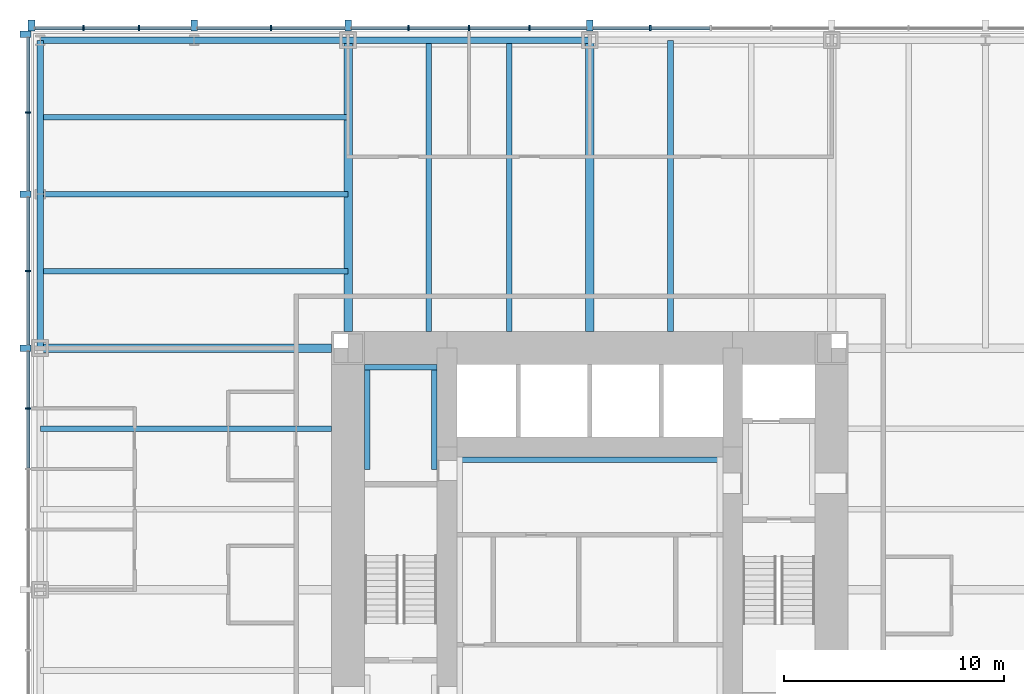
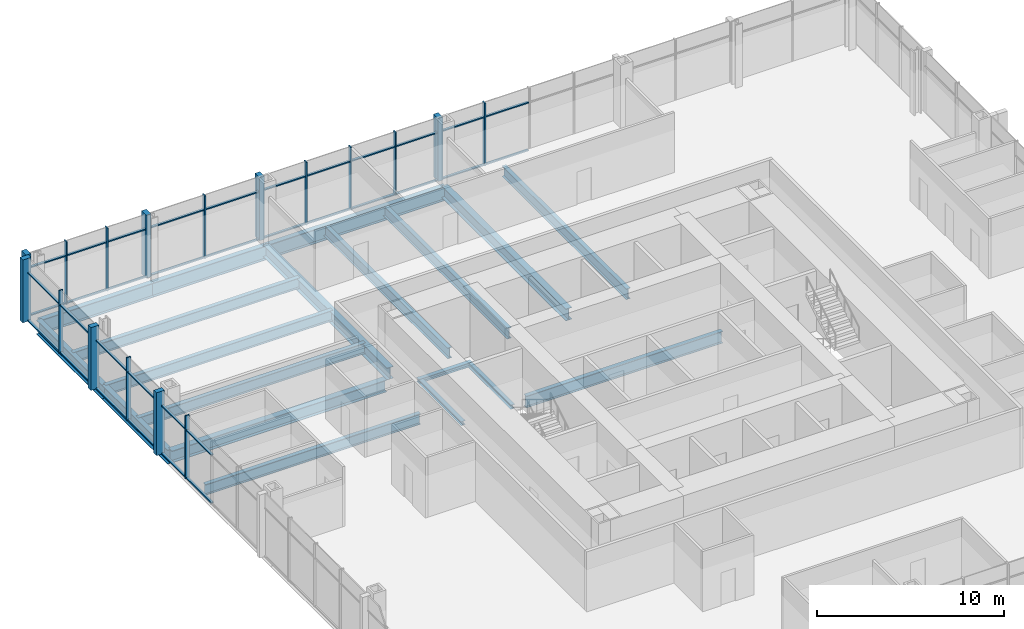
# One storey, part 5 of 12: 51 members, 19 beams, 2 elements without a shape of their own.
"""IFC4 building model written with IfcOpenShell, lengths in metres."""

from ifc_helpers import new_model, si_unit, direction, frame, origin, origin_2d, place, context, subcontext, project, spatial, rectangle, i_section, extrude, material, material_profile, profile_set, type_object, element, aggregate, save


model = new_model("IFC4")

# Units and contexts
model_context = context("Model", 3, precision=1e-05, world=origin(), true_north=direction((0.0, 1.0)))
body_context = subcontext(model_context, "Body", "Model", "MODEL_VIEW")
ifc_project = project(units=[si_unit("LENGTHUNIT", "METRE"), si_unit("AREAUNIT", "SQUARE_METRE"), si_unit("VOLUMEUNIT", "CUBIC_METRE"), si_unit("PLANEANGLEUNIT", "RADIAN"), si_unit("MASSUNIT", "GRAM", prefix="KILO")], contexts=[model_context])

# Site, building, storey
site_placement = place(None, origin())
site = spatial("IfcSite", under=ifc_project, at=site_placement, CompositionType="ELEMENT")
building_placement = place(site_placement, origin())
building = spatial("IfcBuilding", under=site, at=building_placement, Name="Trevanion Tower", CompositionType="ELEMENT")
storey_placement = place(building_placement, frame((0.0, 0.0, 57.0)))
storey = spatial("IfcBuildingStorey", under=building, at=storey_placement, Name="L13", CompositionType="ELEMENT", Elevation=57.0)

# Beams
ifc_material_1 = material(Name="Steel ASTM A992 Grade 50", Category="steel")
ifc_material_profile_1 = material_profile(ifc_material_1, i_section(OverallWidth=0.25390625, OverallDepth=0.700927734375, WebThickness=0.015380859375, FlangeThickness=0.02783203125, at=origin_2d()), Name="W27X129")
ifc_profile_set_1 = profile_set([ifc_material_profile_1], Name="Steel ASTM A992 Grade 50")
beam_type_1 = type_object("IfcBeamType", Name="B3 W27X129", PredefinedType="BEAM", material=ifc_profile_set_1)
for number, where, z_axis, x_axis, name in (
    (1, (3.666748046875, 11.75, -0.54052734375), (0.0, 1.0, 0.0), (-1.0, 0.0, 0.0), "B3 L13"),
    (2, (-3.666748046875, 11.75, -0.54052734375), (0.0, 1.0, 0.0), (-1.0, 0.0, 0.0), "B3 L13"),
    (3, (-7.333251953125, 11.75, -0.54052734375), (0.0, 1.0, 0.0), (-1.0, 0.0, 0.0), "B3 L13"),
    (4, (-11.75, 7.333251953125, -0.54052734375), (-1.0, 0.0, 0.0), (0.0, -1.0, 0.0), "B3 L13"),
):
    element("IfcBeam", number, at=place(storey_placement, frame(where, z_axis=z_axis, x_axis=x_axis)), inside=storey, type_object=beam_type_1, Name=name, PredefinedType="BEAM", context=body_context, shape_type="SweptSolid", body=[
        extrude(i_section(OverallWidth=0.25390625, OverallDepth=0.700927734375, WebThickness=0.015380859375, FlangeThickness=0.02783203125, at=origin_2d()), origin(), (0.0, 0.0, 1.0), 13.25),
    ])
ifc_material_2 = material(Name="Steel ASTM A992 Grade 50", Category="steel")
ifc_material_profile_2 = material_profile(ifc_material_2, i_section(OverallWidth=0.256591796875, OverallDepth=0.693359375, WebThickness=0.014404296875, FlangeThickness=0.023681640625, at=origin_2d()), Name="W27X114")
ifc_profile_set_2 = profile_set([ifc_material_profile_2], Name="Steel ASTM A992 Grade 50")
beam_type_2 = type_object("IfcBeamType", Name="B4 W27X114", PredefinedType="BEAM", material=ifc_profile_set_2)
for number, where, z_axis, x_axis, name in (
    (5, (-11.0, 14.5, -0.53662109375), (-1.0, 0.0, 0.0), (0.0, -1.0, 0.0), "B4 L13"),
    (6, (-11.0, 18.0, -0.53662109375), (-1.0, 0.0, 0.0), (0.0, -1.0, 0.0), "B4 L13"),
    (7, (-11.0, 21.5, -0.53662109375), (-1.0, 0.0, 0.0), (0.0, -1.0, 0.0), "B4 L13"),
):
    element("IfcBeam", number, at=place(storey_placement, frame(where, z_axis=z_axis, x_axis=x_axis)), inside=storey, type_object=beam_type_2, Name=name, PredefinedType="BEAM", context=body_context, shape_type="SweptSolid", body=[
        extrude(i_section(OverallWidth=0.256591796875, OverallDepth=0.693359375, WebThickness=0.014404296875, FlangeThickness=0.023681640625, at=origin_2d()), origin(), (0.0, 0.0, 1.0), 14.0),
    ])

# Curtain wall, members
ifc_material_3 = material(Name="Aluminium and glass", Category="aluminium")
curtain_wall_type = type_object("IfcCurtainWallType", Name="CW1 curtain wall", PredefinedType="USERDEFINED", material=ifc_material_3)
curtain_wall_1_placement = place(storey_placement, origin())
curtain_wall_1 = element("IfcCurtainWall", 8, at=curtain_wall_1_placement, inside=storey, type_object=curtain_wall_type, Name="CW1 L13 1", ObjectType="UNITISED CURTAIN WALL", PredefinedType="USERDEFINED")
ifc_material_4 = material(Name="Aluminium extrusion, anodised bronze", Category="aluminium")
ifc_material_profile_3 = material_profile(ifc_material_4, rectangle(XDim=0.074951171875, YDim=0.25, at=origin_2d()), Name="CW1 mullion")
ifc_profile_set_3 = profile_set([ifc_material_profile_3], Name="Aluminium extrusion, anodised bronze")
member_type_1 = type_object("IfcMemberType", Name="CW1 mullion", PredefinedType="MULLION", material=ifc_profile_set_3)
member_1_placement = place(storey_placement, frame((2.75, 25.550048828125, -0.18994140625), z_axis=(0.0, 0.0, 1.0), x_axis=(-1.0, 0.0, 0.0)))
member_1 = element("IfcMember", 9, at=member_1_placement, type_object=member_type_1, Name="CW1 mullion 8", PredefinedType="MULLION", context=body_context, shape_type="SweptSolid", body=[
    extrude(rectangle(XDim=0.074951171875, YDim=0.25, at=origin_2d()), origin(), (0.0, 0.0, 1.0), 4.099853515625),
])
member_2_placement = place(storey_placement, frame((-2.75, 25.550048828125, -0.18994140625), z_axis=(0.0, 0.0, 1.0), x_axis=(-1.0, 0.0, 0.0)))
member_2 = element("IfcMember", 10, at=member_2_placement, type_object=member_type_1, Name="CW1 mullion 10", PredefinedType="MULLION", context=body_context, shape_type="SweptSolid", body=[
    extrude(rectangle(XDim=0.074951171875, YDim=0.25, at=origin_2d()), origin(), (0.0, 0.0, 1.0), 4.099853515625),
])
member_3_placement = place(storey_placement, frame((-5.5, 25.550048828125, -0.18994140625), z_axis=(0.0, 0.0, 1.0), x_axis=(-1.0, 0.0, 0.0)))
member_3 = element("IfcMember", 11, at=member_3_placement, type_object=member_type_1, Name="CW1 mullion 11", PredefinedType="MULLION", context=body_context, shape_type="SweptSolid", body=[
    extrude(rectangle(XDim=0.074951171875, YDim=0.25, at=origin_2d()), origin(), (0.0, 0.0, 1.0), 4.099853515625),
])
member_4_placement = place(storey_placement, frame((-8.25, 25.550048828125, -0.18994140625), z_axis=(0.0, 0.0, 1.0), x_axis=(-1.0, 0.0, 0.0)))
member_4 = element("IfcMember", 12, at=member_4_placement, type_object=member_type_1, Name="CW1 mullion 12", PredefinedType="MULLION", context=body_context, shape_type="SweptSolid", body=[
    extrude(rectangle(XDim=0.074951171875, YDim=0.25, at=origin_2d()), origin(), (0.0, 0.0, 1.0), 4.099853515625),
])
member_5_placement = place(storey_placement, frame((-14.5, 25.550048828125, -0.18994140625), z_axis=(0.0, 0.0, 1.0), x_axis=(-1.0, 0.0, 0.0)))
member_5 = element("IfcMember", 13, at=member_5_placement, type_object=member_type_1, Name="CW1 mullion 14", PredefinedType="MULLION", context=body_context, shape_type="SweptSolid", body=[
    extrude(rectangle(XDim=0.074951171875, YDim=0.25, at=origin_2d()), origin(), (0.0, 0.0, 1.0), 4.099853515625),
])
member_6_placement = place(storey_placement, frame((-20.5166015625, 25.550048828125, -0.18994140625), z_axis=(0.0, 0.0, 1.0), x_axis=(-1.0, 0.0, 0.0)))
member_6 = element("IfcMember", 14, at=member_6_placement, type_object=member_type_1, Name="CW1 mullion 16", PredefinedType="MULLION", context=body_context, shape_type="SweptSolid", body=[
    extrude(rectangle(XDim=0.074951171875, YDim=0.25, at=origin_2d()), origin(), (0.0, 0.0, 1.0), 4.099853515625),
])
member_7_placement = place(storey_placement, frame((-23.033203125, 25.550048828125, -0.18994140625), z_axis=(0.0, 0.0, 1.0), x_axis=(-1.0, 0.0, 0.0)))
member_7 = element("IfcMember", 15, at=member_7_placement, type_object=member_type_1, Name="CW1 mullion 17", PredefinedType="MULLION", context=body_context, shape_type="SweptSolid", body=[
    extrude(rectangle(XDim=0.074951171875, YDim=0.25, at=origin_2d()), origin(), (0.0, 0.0, 1.0), 4.099853515625),
])

curtain_wall_2_placement = place(storey_placement, origin())
curtain_wall_2 = element("IfcCurtainWall", 16, at=curtain_wall_2_placement, inside=storey, type_object=curtain_wall_type, Name="CW1 L13 2", ObjectType="UNITISED CURTAIN WALL", PredefinedType="USERDEFINED")
member_8_placement = place(storey_placement, frame((-25.550048828125, 21.7099609375, -0.18994140625), z_axis=(0.0, 0.0, 1.0), x_axis=(0.0, -1.0, 0.0)))
member_8 = element("IfcMember", 17, at=member_8_placement, type_object=member_type_1, Name="CW1 mullion 2", PredefinedType="MULLION", context=body_context, shape_type="SweptSolid", body=[
    extrude(rectangle(XDim=0.074951171875, YDim=0.25, at=origin_2d()), origin(), (0.0, 0.0, 1.0), 4.099853515625),
])
member_9_placement = place(storey_placement, frame((-25.550048828125, 14.5, -0.18994140625), z_axis=(0.0, 0.0, 1.0), x_axis=(0.0, -1.0, 0.0)))
member_9 = element("IfcMember", 18, at=member_9_placement, type_object=member_type_1, Name="CW1 mullion 4", PredefinedType="MULLION", context=body_context, shape_type="SweptSolid", body=[
    extrude(rectangle(XDim=0.074951171875, YDim=0.25, at=origin_2d()), origin(), (0.0, 0.0, 1.0), 4.099853515625),
])
member_10_placement = place(storey_placement, frame((-25.550048828125, 8.25, -0.18994140625), z_axis=(0.0, 0.0, 1.0), x_axis=(0.0, -1.0, 0.0)))
member_10 = element("IfcMember", 19, at=member_10_placement, type_object=member_type_1, Name="CW1 mullion 6", PredefinedType="MULLION", context=body_context, shape_type="SweptSolid", body=[
    extrude(rectangle(XDim=0.074951171875, YDim=0.25, at=origin_2d()), origin(), (0.0, 0.0, 1.0), 4.099853515625),
])

# Member
ifc_material_5 = material(Name="Aluminium extrusion, anodised bronze", Category="aluminium")
ifc_material_profile_4 = material_profile(ifc_material_5, rectangle(XDim=0.300048828125, YDim=0.5, at=origin_2d()), Name="CW1 pier mullion")
ifc_profile_set_4 = profile_set([ifc_material_profile_4], Name="Aluminium extrusion, anodised bronze")
member_type_2 = type_object("IfcMemberType", Name="CW1 pier mullion", PredefinedType="MULLION", material=ifc_profile_set_4)
member_11_placement = place(storey_placement, frame((0.0, 25.675048828125, -0.18994140625), z_axis=(0.0, 0.0, 1.0), x_axis=(-1.0, 0.0, 0.0)))
member_11 = element("IfcMember", 20, at=member_11_placement, type_object=member_type_2, Name="CW1 pier mullion 9", PredefinedType="MULLION", context=body_context, shape_type="SweptSolid", body=[
    extrude(rectangle(XDim=0.300048828125, YDim=0.5, at=origin_2d()), origin(), (0.0, 0.0, 1.0), 4.099853515625),
])

member_12_placement = place(storey_placement, frame((-11.0, 25.675048828125, -0.18994140625), z_axis=(0.0, 0.0, 1.0), x_axis=(-1.0, 0.0, 0.0)))
member_12 = element("IfcMember", 21, at=member_12_placement, type_object=member_type_2, Name="CW1 pier mullion 13", PredefinedType="MULLION", context=body_context, shape_type="SweptSolid", body=[
    extrude(rectangle(XDim=0.300048828125, YDim=0.5, at=origin_2d()), origin(), (0.0, 0.0, 1.0), 4.099853515625),
])

member_13_placement = place(storey_placement, frame((-18.0, 25.675048828125, -0.18994140625), z_axis=(0.0, 0.0, 1.0), x_axis=(-1.0, 0.0, 0.0)))
member_13 = element("IfcMember", 22, at=member_13_placement, type_object=member_type_2, Name="CW1 pier mullion 15", PredefinedType="MULLION", context=body_context, shape_type="SweptSolid", body=[
    extrude(rectangle(XDim=0.300048828125, YDim=0.5, at=origin_2d()), origin(), (0.0, 0.0, 1.0), 4.099853515625),
])

member_14_placement = place(storey_placement, frame((-25.39990234375, 25.675048828125, -0.18994140625), z_axis=(0.0, 0.0, 1.0), x_axis=(-1.0, 0.0, 0.0)))
member_14 = element("IfcMember", 23, at=member_14_placement, type_object=member_type_2, Name="CW1 pier mullion 18", PredefinedType="MULLION", context=body_context, shape_type="SweptSolid", body=[
    extrude(rectangle(XDim=0.300048828125, YDim=0.5, at=origin_2d()), origin(), (0.0, 0.0, 1.0), 4.099853515625),
])

member_15_placement = place(storey_placement, frame((-25.675048828125, 25.27001953125, -0.18994140625), z_axis=(0.0, 0.0, 1.0), x_axis=(0.0, -1.0, 0.0)))
member_15 = element("IfcMember", 24, at=member_15_placement, type_object=member_type_2, Name="CW1 pier mullion 1", PredefinedType="MULLION", context=body_context, shape_type="SweptSolid", body=[
    extrude(rectangle(XDim=0.300048828125, YDim=0.5, at=origin_2d()), origin(), (0.0, 0.0, 1.0), 4.099853515625),
])

member_16_placement = place(storey_placement, frame((-25.675048828125, 18.0, -0.18994140625), z_axis=(0.0, 0.0, 1.0), x_axis=(0.0, -1.0, 0.0)))
member_16 = element("IfcMember", 25, at=member_16_placement, type_object=member_type_2, Name="CW1 pier mullion 3", PredefinedType="MULLION", context=body_context, shape_type="SweptSolid", body=[
    extrude(rectangle(XDim=0.300048828125, YDim=0.5, at=origin_2d()), origin(), (0.0, 0.0, 1.0), 4.099853515625),
])

member_17_placement = place(storey_placement, frame((-25.675048828125, 11.0, -0.18994140625), z_axis=(0.0, 0.0, 1.0), x_axis=(0.0, -1.0, 0.0)))
member_17 = element("IfcMember", 26, at=member_17_placement, type_object=member_type_2, Name="CW1 pier mullion 5", PredefinedType="MULLION", context=body_context, shape_type="SweptSolid", body=[
    extrude(rectangle(XDim=0.300048828125, YDim=0.5, at=origin_2d()), origin(), (0.0, 0.0, 1.0), 4.099853515625),
])

ifc_material_6 = material(Name="Aluminium extrusion, anodised bronze", Category="aluminium")
ifc_material_profile_5 = material_profile(ifc_material_6, rectangle(XDim=0.14990234375, YDim=0.074951171875, at=origin_2d()), Name="CW1 transom")
ifc_profile_set_5 = profile_set([ifc_material_profile_5], Name="Aluminium extrusion, anodised bronze")
member_type_3 = type_object("IfcMemberType", Name="CW1 transom", PredefinedType="USERDEFINED", material=ifc_profile_set_5)
member_18_placement = place(storey_placement, frame((5.46240234375, 25.550048828125, -0.152587890625), z_axis=(-1.0, 0.0, 0.0), x_axis=(0.0, -1.0, 0.0)))
member_18 = element("IfcMember", 27, at=member_18_placement, type_object=member_type_3, Name="CW1 transom 7.1", ObjectType="TRANSOM", PredefinedType="USERDEFINED", context=body_context, shape_type="SweptSolid", body=[
    extrude(rectangle(XDim=0.14990234375, YDim=0.074951171875, at=origin_2d()), origin(), (0.0, 0.0, 1.0), 2.6748046875),
])

member_19_placement = place(storey_placement, frame((5.46240234375, 25.550048828125, 2.9599609375), z_axis=(-1.0, 0.0, 0.0), x_axis=(0.0, -1.0, 0.0)))
member_19 = element("IfcMember", 28, at=member_19_placement, type_object=member_type_3, Name="CW1 transom 7.2", ObjectType="TRANSOM", PredefinedType="USERDEFINED", context=body_context, shape_type="SweptSolid", body=[
    extrude(rectangle(XDim=0.14990234375, YDim=0.074951171875, at=origin_2d()), origin(), (0.0, 0.0, 1.0), 2.6748046875),
])

member_20_placement = place(storey_placement, frame((2.71240234375, 25.550048828125, -0.152587890625), z_axis=(-1.0, 0.0, 0.0), x_axis=(0.0, -1.0, 0.0)))
member_20 = element("IfcMember", 29, at=member_20_placement, type_object=member_type_3, Name="CW1 transom 8.1", ObjectType="TRANSOM", PredefinedType="USERDEFINED", context=body_context, shape_type="SweptSolid", body=[
    extrude(rectangle(XDim=0.14990234375, YDim=0.074951171875, at=origin_2d()), origin(), (0.0, 0.0, 1.0), 2.5625),
])

member_21_placement = place(storey_placement, frame((2.71240234375, 25.550048828125, 2.9599609375), z_axis=(-1.0, 0.0, 0.0), x_axis=(0.0, -1.0, 0.0)))
member_21 = element("IfcMember", 30, at=member_21_placement, type_object=member_type_3, Name="CW1 transom 8.2", ObjectType="TRANSOM", PredefinedType="USERDEFINED", context=body_context, shape_type="SweptSolid", body=[
    extrude(rectangle(XDim=0.14990234375, YDim=0.074951171875, at=origin_2d()), origin(), (0.0, 0.0, 1.0), 2.5625),
])

member_22_placement = place(storey_placement, frame((-0.14990234375, 25.550048828125, -0.152587890625), z_axis=(-1.0, 0.0, 0.0), x_axis=(0.0, -1.0, 0.0)))
member_22 = element("IfcMember", 31, at=member_22_placement, type_object=member_type_3, Name="CW1 transom 9.1", ObjectType="TRANSOM", PredefinedType="USERDEFINED", context=body_context, shape_type="SweptSolid", body=[
    extrude(rectangle(XDim=0.14990234375, YDim=0.074951171875, at=origin_2d()), origin(), (0.0, 0.0, 1.0), 2.5625),
])

member_23_placement = place(storey_placement, frame((-0.14990234375, 25.550048828125, 2.9599609375), z_axis=(-1.0, 0.0, 0.0), x_axis=(0.0, -1.0, 0.0)))
member_23 = element("IfcMember", 32, at=member_23_placement, type_object=member_type_3, Name="CW1 transom 9.2", ObjectType="TRANSOM", PredefinedType="USERDEFINED", context=body_context, shape_type="SweptSolid", body=[
    extrude(rectangle(XDim=0.14990234375, YDim=0.074951171875, at=origin_2d()), origin(), (0.0, 0.0, 1.0), 2.5625),
])

member_24_placement = place(storey_placement, frame((-2.78759765625, 25.550048828125, -0.152587890625), z_axis=(-1.0, 0.0, 0.0), x_axis=(0.0, -1.0, 0.0)))
member_24 = element("IfcMember", 33, at=member_24_placement, type_object=member_type_3, Name="CW1 transom 10.1", ObjectType="TRANSOM", PredefinedType="USERDEFINED", context=body_context, shape_type="SweptSolid", body=[
    extrude(rectangle(XDim=0.14990234375, YDim=0.074951171875, at=origin_2d()), origin(), (0.0, 0.0, 1.0), 2.6748046875),
])

member_25_placement = place(storey_placement, frame((-2.78759765625, 25.550048828125, 2.9599609375), z_axis=(-1.0, 0.0, 0.0), x_axis=(0.0, -1.0, 0.0)))
member_25 = element("IfcMember", 34, at=member_25_placement, type_object=member_type_3, Name="CW1 transom 10.2", ObjectType="TRANSOM", PredefinedType="USERDEFINED", context=body_context, shape_type="SweptSolid", body=[
    extrude(rectangle(XDim=0.14990234375, YDim=0.074951171875, at=origin_2d()), origin(), (0.0, 0.0, 1.0), 2.6748046875),
])

member_26_placement = place(storey_placement, frame((-5.53759765625, 25.550048828125, -0.152587890625), z_axis=(-1.0, 0.0, 0.0), x_axis=(0.0, -1.0, 0.0)))
member_26 = element("IfcMember", 35, at=member_26_placement, type_object=member_type_3, Name="CW1 transom 11.1", ObjectType="TRANSOM", PredefinedType="USERDEFINED", context=body_context, shape_type="SweptSolid", body=[
    extrude(rectangle(XDim=0.14990234375, YDim=0.074951171875, at=origin_2d()), origin(), (0.0, 0.0, 1.0), 2.6748046875),
])

member_27_placement = place(storey_placement, frame((-5.53759765625, 25.550048828125, 2.9599609375), z_axis=(-1.0, 0.0, 0.0), x_axis=(0.0, -1.0, 0.0)))
member_27 = element("IfcMember", 36, at=member_27_placement, type_object=member_type_3, Name="CW1 transom 11.2", ObjectType="TRANSOM", PredefinedType="USERDEFINED", context=body_context, shape_type="SweptSolid", body=[
    extrude(rectangle(XDim=0.14990234375, YDim=0.074951171875, at=origin_2d()), origin(), (0.0, 0.0, 1.0), 2.6748046875),
])

member_28_placement = place(storey_placement, frame((-8.28759765625, 25.550048828125, -0.152587890625), z_axis=(-1.0, 0.0, 0.0), x_axis=(0.0, -1.0, 0.0)))
member_28 = element("IfcMember", 37, at=member_28_placement, type_object=member_type_3, Name="CW1 transom 12.1", ObjectType="TRANSOM", PredefinedType="USERDEFINED", context=body_context, shape_type="SweptSolid", body=[
    extrude(rectangle(XDim=0.14990234375, YDim=0.074951171875, at=origin_2d()), origin(), (0.0, 0.0, 1.0), 2.5625),
])

member_29_placement = place(storey_placement, frame((-8.28759765625, 25.550048828125, 2.9599609375), z_axis=(-1.0, 0.0, 0.0), x_axis=(0.0, -1.0, 0.0)))
member_29 = element("IfcMember", 38, at=member_29_placement, type_object=member_type_3, Name="CW1 transom 12.2", ObjectType="TRANSOM", PredefinedType="USERDEFINED", context=body_context, shape_type="SweptSolid", body=[
    extrude(rectangle(XDim=0.14990234375, YDim=0.074951171875, at=origin_2d()), origin(), (0.0, 0.0, 1.0), 2.5625),
])

member_30_placement = place(storey_placement, frame((-11.14990234375, 25.550048828125, -0.152587890625), z_axis=(-1.0, 0.0, 0.0), x_axis=(0.0, -1.0, 0.0)))
member_30 = element("IfcMember", 39, at=member_30_placement, type_object=member_type_3, Name="CW1 transom 13.1", ObjectType="TRANSOM", PredefinedType="USERDEFINED", context=body_context, shape_type="SweptSolid", body=[
    extrude(rectangle(XDim=0.14990234375, YDim=0.074951171875, at=origin_2d()), origin(), (0.0, 0.0, 1.0), 3.3125),
])

member_31_placement = place(storey_placement, frame((-11.14990234375, 25.550048828125, 2.9599609375), z_axis=(-1.0, 0.0, 0.0), x_axis=(0.0, -1.0, 0.0)))
member_31 = element("IfcMember", 40, at=member_31_placement, type_object=member_type_3, Name="CW1 transom 13.2", ObjectType="TRANSOM", PredefinedType="USERDEFINED", context=body_context, shape_type="SweptSolid", body=[
    extrude(rectangle(XDim=0.14990234375, YDim=0.074951171875, at=origin_2d()), origin(), (0.0, 0.0, 1.0), 3.3125),
])

member_32_placement = place(storey_placement, frame((-14.53759765625, 25.550048828125, -0.152587890625), z_axis=(-1.0, 0.0, 0.0), x_axis=(0.0, -1.0, 0.0)))
member_32 = element("IfcMember", 41, at=member_32_placement, type_object=member_type_3, Name="CW1 transom 14.1", ObjectType="TRANSOM", PredefinedType="USERDEFINED", context=body_context, shape_type="SweptSolid", body=[
    extrude(rectangle(XDim=0.14990234375, YDim=0.074951171875, at=origin_2d()), origin(), (0.0, 0.0, 1.0), 3.3125),
])

member_33_placement = place(storey_placement, frame((-14.53759765625, 25.550048828125, 2.9599609375), z_axis=(-1.0, 0.0, 0.0), x_axis=(0.0, -1.0, 0.0)))
member_33 = element("IfcMember", 42, at=member_33_placement, type_object=member_type_3, Name="CW1 transom 14.2", ObjectType="TRANSOM", PredefinedType="USERDEFINED", context=body_context, shape_type="SweptSolid", body=[
    extrude(rectangle(XDim=0.14990234375, YDim=0.074951171875, at=origin_2d()), origin(), (0.0, 0.0, 1.0), 3.3125),
])

member_34_placement = place(storey_placement, frame((-18.14990234375, 25.550048828125, -0.152587890625), z_axis=(-1.0, 0.0, 0.0), x_axis=(0.0, -1.0, 0.0)))
member_34 = element("IfcMember", 43, at=member_34_placement, type_object=member_type_3, Name="CW1 transom 15.1", ObjectType="TRANSOM", PredefinedType="USERDEFINED", context=body_context, shape_type="SweptSolid", body=[
    extrude(rectangle(XDim=0.14990234375, YDim=0.074951171875, at=origin_2d()), origin(), (0.0, 0.0, 1.0), 2.329345703125),
])

member_35_placement = place(storey_placement, frame((-18.14990234375, 25.550048828125, 2.9599609375), z_axis=(-1.0, 0.0, 0.0), x_axis=(0.0, -1.0, 0.0)))
member_35 = element("IfcMember", 44, at=member_35_placement, type_object=member_type_3, Name="CW1 transom 15.2", ObjectType="TRANSOM", PredefinedType="USERDEFINED", context=body_context, shape_type="SweptSolid", body=[
    extrude(rectangle(XDim=0.14990234375, YDim=0.074951171875, at=origin_2d()), origin(), (0.0, 0.0, 1.0), 2.329345703125),
])

member_36_placement = place(storey_placement, frame((-20.55419921875, 25.550048828125, -0.152587890625), z_axis=(-1.0, 0.0, 0.0), x_axis=(0.0, -1.0, 0.0)))
member_36 = element("IfcMember", 45, at=member_36_placement, type_object=member_type_3, Name="CW1 transom 16.1", ObjectType="TRANSOM", PredefinedType="USERDEFINED", context=body_context, shape_type="SweptSolid", body=[
    extrude(rectangle(XDim=0.14990234375, YDim=0.074951171875, at=origin_2d()), origin(), (0.0, 0.0, 1.0), 2.441650390625),
])

member_37_placement = place(storey_placement, frame((-20.55419921875, 25.550048828125, 2.9599609375), z_axis=(-1.0, 0.0, 0.0), x_axis=(0.0, -1.0, 0.0)))
member_37 = element("IfcMember", 46, at=member_37_placement, type_object=member_type_3, Name="CW1 transom 16.2", ObjectType="TRANSOM", PredefinedType="USERDEFINED", context=body_context, shape_type="SweptSolid", body=[
    extrude(rectangle(XDim=0.14990234375, YDim=0.074951171875, at=origin_2d()), origin(), (0.0, 0.0, 1.0), 2.441650390625),
])

member_38_placement = place(storey_placement, frame((-23.07080078125, 25.550048828125, -0.152587890625), z_axis=(-1.0, 0.0, 0.0), x_axis=(0.0, -1.0, 0.0)))
member_38 = element("IfcMember", 47, at=member_38_placement, type_object=member_type_3, Name="CW1 transom 17.1", ObjectType="TRANSOM", PredefinedType="USERDEFINED", context=body_context, shape_type="SweptSolid", body=[
    extrude(rectangle(XDim=0.14990234375, YDim=0.074951171875, at=origin_2d()), origin(), (0.0, 0.0, 1.0), 2.17919921875),
])

member_39_placement = place(storey_placement, frame((-23.07080078125, 25.550048828125, 2.9599609375), z_axis=(-1.0, 0.0, 0.0), x_axis=(0.0, -1.0, 0.0)))
member_39 = element("IfcMember", 48, at=member_39_placement, type_object=member_type_3, Name="CW1 transom 17.2", ObjectType="TRANSOM", PredefinedType="USERDEFINED", context=body_context, shape_type="SweptSolid", body=[
    extrude(rectangle(XDim=0.14990234375, YDim=0.074951171875, at=origin_2d()), origin(), (0.0, 0.0, 1.0), 2.17919921875),
])

aggregate(curtain_wall_1, [member_1, member_11, member_2, member_3, member_4, member_12, member_5, member_13, member_6, member_7, member_14, member_18, member_19, member_20, member_21, member_22, member_23, member_24, member_25, member_26, member_27, member_28, member_29, member_30, member_31, member_32, member_33, member_34, member_35, member_36, member_37, member_38, member_39])

member_40_placement = place(storey_placement, frame((-25.550048828125, 25.1201171875, -0.152587890625), z_axis=(0.0, -1.0, 0.0), x_axis=(1.0, 0.0, 0.0)))
member_40 = element("IfcMember", 49, at=member_40_placement, type_object=member_type_3, Name="CW1 transom 1.1", ObjectType="TRANSOM", PredefinedType="USERDEFINED", context=body_context, shape_type="SweptSolid", body=[
    extrude(rectangle(XDim=0.14990234375, YDim=0.074951171875, at=origin_2d()), origin(), (0.0, 0.0, 1.0), 3.37255859375),
])

member_41_placement = place(storey_placement, frame((-25.550048828125, 25.1201171875, 2.9599609375), z_axis=(0.0, -1.0, 0.0), x_axis=(1.0, 0.0, 0.0)))
member_41 = element("IfcMember", 50, at=member_41_placement, type_object=member_type_3, Name="CW1 transom 1.2", ObjectType="TRANSOM", PredefinedType="USERDEFINED", context=body_context, shape_type="SweptSolid", body=[
    extrude(rectangle(XDim=0.14990234375, YDim=0.074951171875, at=origin_2d()), origin(), (0.0, 0.0, 1.0), 3.37255859375),
])

member_42_placement = place(storey_placement, frame((-25.550048828125, 21.672607421875, -0.152587890625), z_axis=(0.0, -1.0, 0.0), x_axis=(1.0, 0.0, 0.0)))
member_42 = element("IfcMember", 51, at=member_42_placement, type_object=member_type_3, Name="CW1 transom 2.1", ObjectType="TRANSOM", PredefinedType="USERDEFINED", context=body_context, shape_type="SweptSolid", body=[
    extrude(rectangle(XDim=0.14990234375, YDim=0.074951171875, at=origin_2d()), origin(), (0.0, 0.0, 1.0), 3.522705078125),
])

member_43_placement = place(storey_placement, frame((-25.550048828125, 21.672607421875, 2.9599609375), z_axis=(0.0, -1.0, 0.0), x_axis=(1.0, 0.0, 0.0)))
member_43 = element("IfcMember", 52, at=member_43_placement, type_object=member_type_3, Name="CW1 transom 2.2", ObjectType="TRANSOM", PredefinedType="USERDEFINED", context=body_context, shape_type="SweptSolid", body=[
    extrude(rectangle(XDim=0.14990234375, YDim=0.074951171875, at=origin_2d()), origin(), (0.0, 0.0, 1.0), 3.522705078125),
])

member_44_placement = place(storey_placement, frame((-25.550048828125, 17.85009765625, -0.152587890625), z_axis=(0.0, -1.0, 0.0), x_axis=(1.0, 0.0, 0.0)))
member_44 = element("IfcMember", 53, at=member_44_placement, type_object=member_type_3, Name="CW1 transom 3.1", ObjectType="TRANSOM", PredefinedType="USERDEFINED", context=body_context, shape_type="SweptSolid", body=[
    extrude(rectangle(XDim=0.14990234375, YDim=0.074951171875, at=origin_2d()), origin(), (0.0, 0.0, 1.0), 3.3125),
])

member_45_placement = place(storey_placement, frame((-25.550048828125, 17.85009765625, 2.9599609375), z_axis=(0.0, -1.0, 0.0), x_axis=(1.0, 0.0, 0.0)))
member_45 = element("IfcMember", 54, at=member_45_placement, type_object=member_type_3, Name="CW1 transom 3.2", ObjectType="TRANSOM", PredefinedType="USERDEFINED", context=body_context, shape_type="SweptSolid", body=[
    extrude(rectangle(XDim=0.14990234375, YDim=0.074951171875, at=origin_2d()), origin(), (0.0, 0.0, 1.0), 3.3125),
])

member_46_placement = place(storey_placement, frame((-25.550048828125, 14.46240234375, -0.152587890625), z_axis=(0.0, -1.0, 0.0), x_axis=(1.0, 0.0, 0.0)))
member_46 = element("IfcMember", 55, at=member_46_placement, type_object=member_type_3, Name="CW1 transom 4.1", ObjectType="TRANSOM", PredefinedType="USERDEFINED", context=body_context, shape_type="SweptSolid", body=[
    extrude(rectangle(XDim=0.14990234375, YDim=0.074951171875, at=origin_2d()), origin(), (0.0, 0.0, 1.0), 3.3125),
])

member_47_placement = place(storey_placement, frame((-25.550048828125, 14.46240234375, 2.9599609375), z_axis=(0.0, -1.0, 0.0), x_axis=(1.0, 0.0, 0.0)))
member_47 = element("IfcMember", 56, at=member_47_placement, type_object=member_type_3, Name="CW1 transom 4.2", ObjectType="TRANSOM", PredefinedType="USERDEFINED", context=body_context, shape_type="SweptSolid", body=[
    extrude(rectangle(XDim=0.14990234375, YDim=0.074951171875, at=origin_2d()), origin(), (0.0, 0.0, 1.0), 3.3125),
])

member_48_placement = place(storey_placement, frame((-25.550048828125, 10.85009765625, -0.152587890625), z_axis=(0.0, -1.0, 0.0), x_axis=(1.0, 0.0, 0.0)))
member_48 = element("IfcMember", 57, at=member_48_placement, type_object=member_type_3, Name="CW1 transom 5.1", ObjectType="TRANSOM", PredefinedType="USERDEFINED", context=body_context, shape_type="SweptSolid", body=[
    extrude(rectangle(XDim=0.14990234375, YDim=0.074951171875, at=origin_2d()), origin(), (0.0, 0.0, 1.0), 2.5625),
])

member_49_placement = place(storey_placement, frame((-25.550048828125, 10.85009765625, 2.9599609375), z_axis=(0.0, -1.0, 0.0), x_axis=(1.0, 0.0, 0.0)))
member_49 = element("IfcMember", 58, at=member_49_placement, type_object=member_type_3, Name="CW1 transom 5.2", ObjectType="TRANSOM", PredefinedType="USERDEFINED", context=body_context, shape_type="SweptSolid", body=[
    extrude(rectangle(XDim=0.14990234375, YDim=0.074951171875, at=origin_2d()), origin(), (0.0, 0.0, 1.0), 2.5625),
])

member_50_placement = place(storey_placement, frame((-25.550048828125, 8.21240234375, -0.152587890625), z_axis=(0.0, -1.0, 0.0), x_axis=(1.0, 0.0, 0.0)))
member_50 = element("IfcMember", 59, at=member_50_placement, type_object=member_type_3, Name="CW1 transom 6.1", ObjectType="TRANSOM", PredefinedType="USERDEFINED", context=body_context, shape_type="SweptSolid", body=[
    extrude(rectangle(XDim=0.14990234375, YDim=0.074951171875, at=origin_2d()), origin(), (0.0, 0.0, 1.0), 2.6748046875),
])

member_51_placement = place(storey_placement, frame((-25.550048828125, 8.21240234375, 2.9599609375), z_axis=(0.0, -1.0, 0.0), x_axis=(1.0, 0.0, 0.0)))
member_51 = element("IfcMember", 60, at=member_51_placement, type_object=member_type_3, Name="CW1 transom 6.2", ObjectType="TRANSOM", PredefinedType="USERDEFINED", context=body_context, shape_type="SweptSolid", body=[
    extrude(rectangle(XDim=0.14990234375, YDim=0.074951171875, at=origin_2d()), origin(), (0.0, 0.0, 1.0), 2.6748046875),
])

aggregate(curtain_wall_2, [member_15, member_8, member_16, member_9, member_17, member_10, member_40, member_41, member_42, member_43, member_44, member_45, member_46, member_47, member_48, member_49, member_50, member_51])

# Beams
ifc_material_7 = material(Name="Steel ASTM A992 Grade 50", Category="steel")
ifc_material_profile_6 = material_profile(ifc_material_7, i_section(OverallWidth=0.381103515625, OverallDepth=0.77978515625, WebThickness=0.01806640625, FlangeThickness=0.0302734375, at=origin_2d()), Name="W30X191")
ifc_profile_set_6 = profile_set([ifc_material_profile_6], Name="Steel ASTM A992 Grade 50")
beam_type_3 = type_object("IfcBeamType", Name="G2 W30X191", PredefinedType="BEAM", material=ifc_profile_set_6)
for number, where, z_axis, x_axis, name in (
    (61, (0.0, 11.75, -0.579833984375), (0.0, 1.0, 0.0), (-1.0, 0.0, 0.0), "G2 L13"),
    (62, (-11.0, 11.75, -0.579833984375), (0.0, 1.0, 0.0), (-1.0, 0.0, 0.0), "G2 L13"),
    (63, (-11.75, 11.0, -0.579833984375), (-1.0, 0.0, 0.0), (0.0, -1.0, 0.0), "G2 L13"),
):
    element("IfcBeam", number, at=place(storey_placement, frame(where, z_axis=z_axis, x_axis=x_axis)), inside=storey, type_object=beam_type_3, Name=name, PredefinedType="BEAM", context=body_context, shape_type="SweptSolid", body=[
        extrude(i_section(OverallWidth=0.381103515625, OverallDepth=0.77978515625, WebThickness=0.01806640625, FlangeThickness=0.0302734375, at=origin_2d()), origin(), (0.0, 0.0, 1.0), 13.25),
    ])
ifc_material_8 = material(Name="Steel ASTM A992 Grade 50", Category="steel")
ifc_material_profile_7 = material_profile(ifc_material_8, i_section(OverallWidth=0.256591796875, OverallDepth=0.26416015625, WebThickness=0.011962890625, FlangeThickness=0.01953125, at=origin_2d()), Name="W10X68")
ifc_profile_set_7 = profile_set([ifc_material_profile_7], Name="Steel ASTM A992 Grade 50")
beam_type_4 = type_object("IfcBeamType", Name="LB1 W10X68", PredefinedType="BEAM", material=ifc_profile_set_7)
for number, where, z_axis, x_axis, name in (
    (64, (-10.12158203125, 5.47509765625, -0.33203125), (0.0, 1.0, 0.0), (-1.0, 0.0, 0.0), "LB1 L13"),
    (65, (-7.078369140625, 5.47509765625, -0.33203125), (0.0, 1.0, 0.0), (-1.0, 0.0, 0.0), "LB1 L13"),
):
    element("IfcBeam", number, at=place(storey_placement, frame(where, z_axis=z_axis, x_axis=x_axis)), inside=storey, type_object=beam_type_4, Name=name, PredefinedType="BEAM", context=body_context, shape_type="SweptSolid", body=[
        extrude(i_section(OverallWidth=0.256591796875, OverallDepth=0.26416015625, WebThickness=0.011962890625, FlangeThickness=0.01953125, at=origin_2d()), origin(), (0.0, 0.0, 1.0), 4.77490234375),
    ])
beam_1_placement = place(storey_placement, frame((-10.25, 10.12158203125, -0.33203125), z_axis=(1.0, 0.0, 0.0), x_axis=(0.0, 1.0, 0.0)))
element("IfcBeam", 66, at=beam_1_placement, inside=storey, type_object=beam_type_4, Name="LB1 L13", PredefinedType="BEAM", context=body_context, shape_type="SweptSolid", body=[
    extrude(i_section(OverallWidth=0.256591796875, OverallDepth=0.26416015625, WebThickness=0.011962890625, FlangeThickness=0.01953125, at=origin_2d()), origin(), (0.0, 0.0, 1.0), 3.300048828125),
])
ifc_material_9 = material(Name="Steel ASTM A992 Grade 50", Category="steel")
ifc_material_profile_8 = material_profile(ifc_material_9, i_section(OverallWidth=0.2666015625, OverallDepth=0.76953125, WebThickness=0.015625, FlangeThickness=0.025390625, at=origin_2d()), Name="W30X132")
ifc_profile_set_8 = profile_set([ifc_material_profile_8], Name="Steel ASTM A992 Grade 50")
beam_type_5 = type_object("IfcBeamType", Name="LB3 W30X132", PredefinedType="BEAM", material=ifc_profile_set_8)
beam_2_placement = place(storey_placement, frame((-6.050048828125, 5.91650390625, -0.584716796875), z_axis=(1.0, 0.0, 0.0), x_axis=(0.0, 1.0, 0.0)))
element("IfcBeam", 67, at=beam_2_placement, inside=storey, type_object=beam_type_5, Name="LB3 L13", PredefinedType="BEAM", context=body_context, shape_type="SweptSolid", body=[
    extrude(i_section(OverallWidth=0.2666015625, OverallDepth=0.76953125, WebThickness=0.015625, FlangeThickness=0.025390625, at=origin_2d()), origin(), (0.0, 0.0, 1.0), 12.10009765625),
])
ifc_material_10 = material(Name="Steel ASTM A992 Grade 50", Category="steel")
ifc_material_profile_9 = material_profile(ifc_material_10, i_section(OverallWidth=0.307373046875, OverallDepth=0.927001953125, WebThickness=0.01953125, FlangeThickness=0.031982421875, at=origin_2d()), Name="W36X194")
ifc_profile_set_9 = profile_set([ifc_material_profile_9], Name="Steel ASTM A992 Grade 50")
beam_type_6 = type_object("IfcBeamType", Name="SB2 W36X194", PredefinedType="SPANDREL", material=ifc_profile_set_9)
beam_3_placement = place(storey_placement, frame((0.0, 25.0, -0.653564453125), z_axis=(-1.0, 0.0, 0.0), x_axis=(0.0, -1.0, 0.0)))
element("IfcBeam", 68, at=beam_3_placement, inside=storey, type_object=beam_type_6, Name="SB2 L13", PredefinedType="SPANDREL", context=body_context, shape_type="SweptSolid", body=[
    extrude(i_section(OverallWidth=0.307373046875, OverallDepth=0.927001953125, WebThickness=0.01953125, FlangeThickness=0.031982421875, at=origin_2d()), origin(), (0.0, 0.0, 1.0), 11.0),
])
for number, where, z_axis, x_axis, name in (
    (69, (-11.0, 25.0, -0.653564453125), (-1.0, 0.0, 0.0), (0.0, -1.0, 0.0), "SB2 L13"),
    (70, (-18.0, 25.0, -0.653564453125), (-1.0, 0.0, 0.0), (0.0, -1.0, 0.0), "SB2 L13"),
    (71, (-25.0, 25.0, -0.653564453125), (0.0, -1.0, 0.0), (1.0, 0.0, 0.0), "SB2 L13"),
    (72, (-25.0, 18.0, -0.653564453125), (0.0, -1.0, 0.0), (1.0, 0.0, 0.0), "SB2 L13"),
):
    element("IfcBeam", number, at=place(storey_placement, frame(where, z_axis=z_axis, x_axis=x_axis)), inside=storey, type_object=beam_type_6, Name=name, PredefinedType="SPANDREL", context=body_context, shape_type="SweptSolid", body=[
        extrude(i_section(OverallWidth=0.307373046875, OverallDepth=0.927001953125, WebThickness=0.01953125, FlangeThickness=0.031982421875, at=origin_2d()), origin(), (0.0, 0.0, 1.0), 7.0),
    ])

save(model, "model.ifc")
